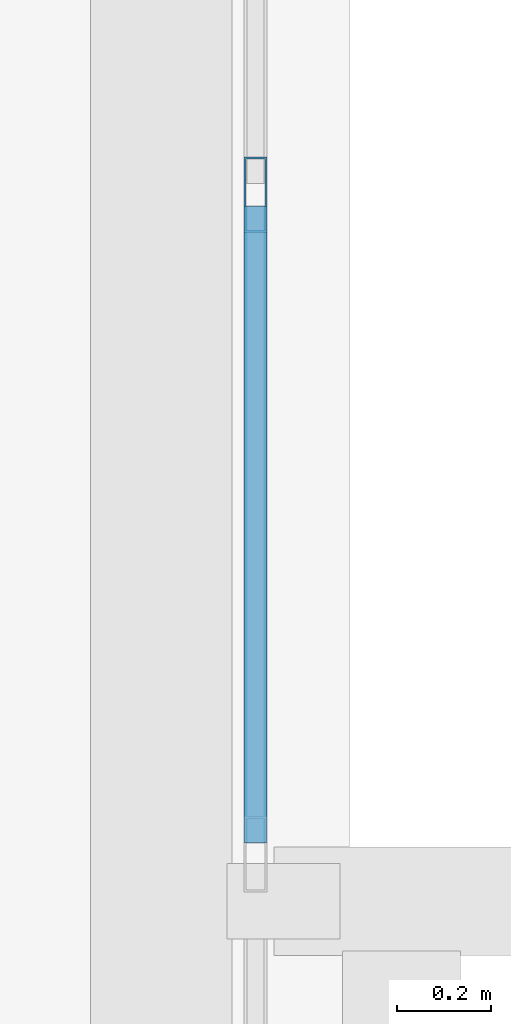
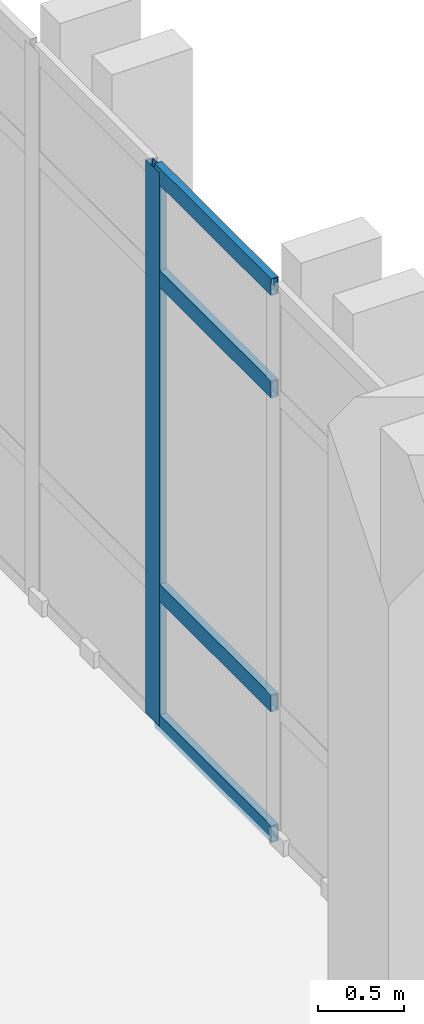
# One storey, part 41 of 158: 5 members, 1 element without a shape of its own.
"""IFC4 building model written with IfcOpenShell, lengths in metres."""

from ifc_helpers import new_model, si_unit, direction, frame, origin, origin_2d, place, context, subcontext, project, spatial, hollow_rectangle, extrude, material, layer, layer_set, material_profile, profile_set, type_object, element, aggregate, save


model = new_model("IFC4")

# Units and contexts
model_context = context("Model", 3, precision=1e-05, world=origin(), true_north=direction((0.0, 1.0)))
body_context = subcontext(model_context, "Body", "Model", "MODEL_VIEW")
ifc_project = project(units=[si_unit("LENGTHUNIT", "METRE"), si_unit("AREAUNIT", "SQUARE_METRE"), si_unit("VOLUMEUNIT", "CUBIC_METRE"), si_unit("PLANEANGLEUNIT", "RADIAN"), si_unit("MASSUNIT", "GRAM", prefix="KILO")], contexts=[model_context])

# Site, building, storey
site_placement = place(None, origin())
site = spatial("IfcSite", under=ifc_project, at=site_placement, CompositionType="ELEMENT")
building_placement = place(site_placement, origin())
building = spatial("IfcBuilding", under=site, at=building_placement, Name="Qalavern Law Courts", CompositionType="ELEMENT")
storey_placement = place(building_placement, frame((0.0, 0.0, 18.60009765625)))
storey = spatial("IfcBuildingStorey", under=building, at=storey_placement, Name="L04", CompositionType="ELEMENT", Elevation=18.60009765625)

# Curtain wall, members
ifc_material_1 = material(Name="Anodised aluminium and insulated glazing", Category="aluminium")
ifc_layer = layer(ifc_material_1, 0.159912109375)
ifc_layer_set = layer_set([ifc_layer], Name="Anodised aluminium and insulated glazing")
curtain_wall_type = type_object("IfcCurtainWallType", Name="ENV-CW-CHAMB", PredefinedType="USERDEFINED", material=ifc_layer_set)
curtain_wall_placement = place(storey_placement, origin())
curtain_wall = element("IfcCurtainWall", 1, at=curtain_wall_placement, inside=storey, type_object=curtain_wall_type, Name="V3 unitised curtain wall L04 east 4", ObjectType="UNITISED CURTAIN WALL", PredefinedType="USERDEFINED")
ifc_material_2 = material(Name="Anodised aluminium", Category="aluminium")
ifc_material_profile_1 = material_profile(ifc_material_2, hollow_rectangle(XDim=0.048095703125, YDim=0.159912109375, WallThickness=0.00390625, at=origin_2d()), Name="ALU MULLION 48x160")
ifc_profile_set_1 = profile_set([ifc_material_profile_1], Name="Anodised aluminium")
member_type_1 = type_object("IfcMemberType", Name="ENV-CWM-48x160", PredefinedType="MULLION", material=ifc_profile_set_1)
member_1_placement = place(storey_placement, frame((18.60009765625, 68.699951171875, 0.0), z_axis=(0.0, 0.0, 1.0), x_axis=(-1.0, 0.0, 0.0)))
member_1 = element("IfcMember", 2, at=member_1_placement, type_object=member_type_1, Name="CW-04 mullion 3", PredefinedType="MULLION", context=body_context, shape_type="SweptSolid", body=[
    extrude(hollow_rectangle(XDim=0.048095703125, YDim=0.159912109375, WallThickness=0.00390625, at=origin_2d()), origin(), (0.0, 0.0, 1.0), 3.9248046875),
])
ifc_material_profile_2 = material_profile(ifc_material_2, hollow_rectangle(XDim=0.048095703125, YDim=0.1201171875, WallThickness=0.00390625, at=origin_2d()), Name="ALU TRANSOM 48x120")
ifc_profile_set_2 = profile_set([ifc_material_profile_2], Name="Anodised aluminium")
member_type_2 = type_object("IfcMemberType", Name="ENV-CWT-48x120", PredefinedType="USERDEFINED", material=ifc_profile_set_2)
member_2_placement = place(storey_placement, frame((18.60009765625, 67.323974609375, 0.02392578125), z_axis=(0.0, 1.0, 0.0), x_axis=(-1.0, 0.0, 0.0)))
member_2 = element("IfcMember", 3, at=member_2_placement, type_object=member_type_2, Name="CW-04 transom 2.1", ObjectType="TRANSOM", PredefinedType="USERDEFINED", context=body_context, shape_type="SweptSolid", body=[
    extrude(hollow_rectangle(XDim=0.048095703125, YDim=0.1201171875, WallThickness=0.00390625, at=origin_2d()), origin(), (0.0, 0.0, 1.0), 1.35205078125),
])
member_3_placement = place(storey_placement, frame((18.60009765625, 67.323974609375, 0.949951171875), z_axis=(0.0, 1.0, 0.0), x_axis=(-1.0, 0.0, 0.0)))
member_3 = element("IfcMember", 4, at=member_3_placement, type_object=member_type_2, Name="CW-04 transom 2.2", ObjectType="TRANSOM", PredefinedType="USERDEFINED", context=body_context, shape_type="SweptSolid", body=[
    extrude(hollow_rectangle(XDim=0.048095703125, YDim=0.1201171875, WallThickness=0.00390625, at=origin_2d()), origin(), (0.0, 0.0, 1.0), 1.35205078125),
])
member_4_placement = place(storey_placement, frame((18.60009765625, 67.323974609375, 3.1748046875), z_axis=(0.0, 1.0, 0.0), x_axis=(-1.0, 0.0, 0.0)))
member_4 = element("IfcMember", 5, at=member_4_placement, type_object=member_type_2, Name="CW-04 transom 2.3", ObjectType="TRANSOM", PredefinedType="USERDEFINED", context=body_context, shape_type="SweptSolid", body=[
    extrude(hollow_rectangle(XDim=0.048095703125, YDim=0.1201171875, WallThickness=0.00390625, at=origin_2d()), origin(), (0.0, 0.0, 1.0), 1.35205078125),
])
member_5_placement = place(storey_placement, frame((18.60009765625, 67.323974609375, 3.90087890625), z_axis=(0.0, 1.0, 0.0), x_axis=(-1.0, 0.0, 0.0)))
member_5 = element("IfcMember", 6, at=member_5_placement, type_object=member_type_2, Name="CW-04 transom 2.4", ObjectType="TRANSOM", PredefinedType="USERDEFINED", context=body_context, shape_type="SweptSolid", body=[
    extrude(hollow_rectangle(XDim=0.048095703125, YDim=0.1201171875, WallThickness=0.00390625, at=origin_2d()), origin(), (0.0, 0.0, 1.0), 1.35205078125),
])
aggregate(curtain_wall, [member_1, member_2, member_3, member_4, member_5])

save(model, "model.ifc")
